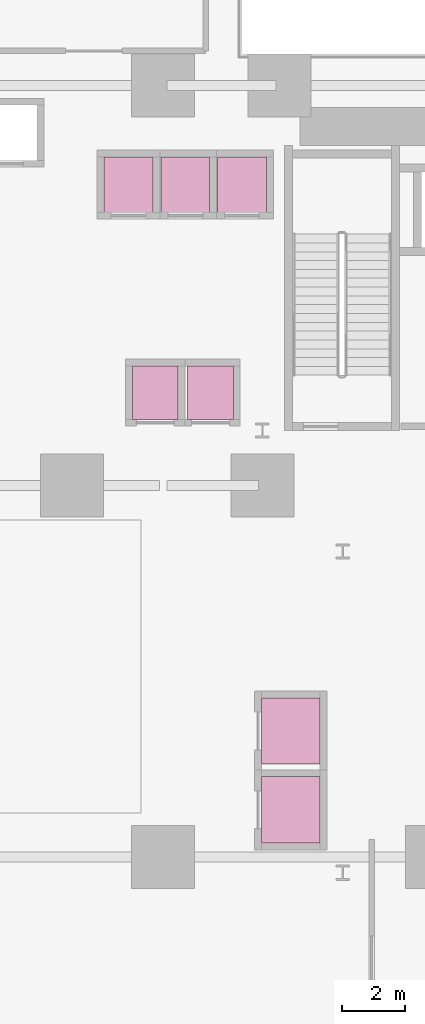
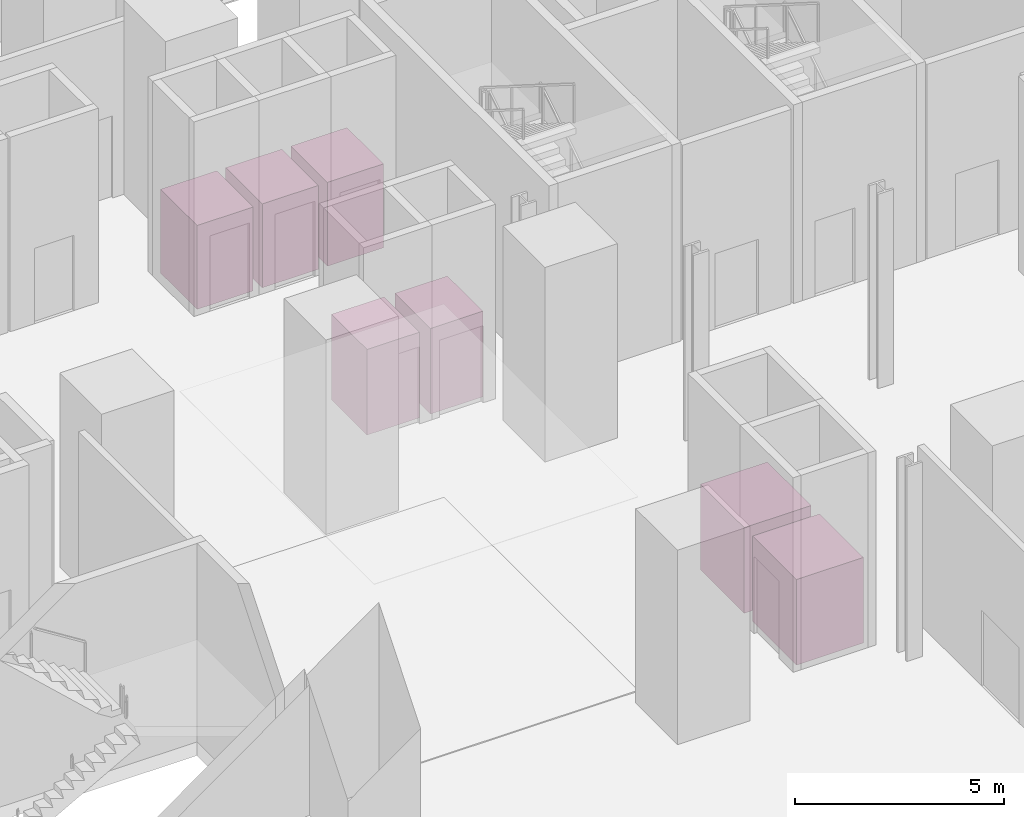
# One storey, part 25 of 25: 7 transport elements.
"""IFC4 building model written with IfcOpenShell, lengths in metres."""

from ifc_helpers import new_model, si_unit, direction, frame, origin, origin_2d, place, context, subcontext, project, spatial, rectangle, extrude, source, transform, mapped, material, type_object, element, save


model = new_model("IFC4")

# Units and contexts
model_context = context("Model", 3, precision=1e-05, world=origin(), true_north=direction((0.0, 1.0)))
body_context = subcontext(model_context, "Body", "Model", "MODEL_VIEW")
ifc_project = project(units=[si_unit("LENGTHUNIT", "METRE"), si_unit("AREAUNIT", "SQUARE_METRE"), si_unit("VOLUMEUNIT", "CUBIC_METRE"), si_unit("PLANEANGLEUNIT", "RADIAN"), si_unit("MASSUNIT", "GRAM", prefix="KILO")], contexts=[model_context])

# Site, building, storey
site_placement = place(None, origin())
site = spatial("IfcSite", under=ifc_project, at=site_placement, CompositionType="ELEMENT")
building_placement = place(site_placement, origin())
building = spatial("IfcBuilding", under=site, at=building_placement, Name="Vardaveli Station Tower", CompositionType="ELEMENT")
storey_placement = place(building_placement, origin())
storey = spatial("IfcBuildingStorey", under=building, at=storey_placement, Name="L01", CompositionType="ELEMENT", Elevation=0.0)

# Transport elements
ifc_material_1 = material(Name="Brushed stainless steel elevator cab", Category="steel")
transport_element_type_1 = type_object("IfcTransportElementType", Name="LIFT-PASS-1600", PredefinedType="ELEVATOR", material=ifc_material_1)
shared_shape_1 = source(origin(), body_context, "Body", "SweptSolid", [
    extrude(rectangle(XDim=1.550048828125, YDim=1.75, at=origin_2d()), origin(), (0.0, 0.0, 1.0), 2.449951171875),
])
for number, where, z_axis, x_axis, name in (
    (1, (24.39990234375, 38.449951171875, 0.0), (0.0, 0.0, 1.0), (1.0, 0.0, 0.0), "Lift HL1-01"),
    (2, (26.199951171875, 38.449951171875, 0.0), (0.0, 0.0, 1.0), (1.0, 0.0, 0.0), "Lift HL1-02"),
    (3, (28.0, 38.449951171875, 0.0), (0.0, 0.0, 1.0), (1.0, 0.0, 0.0), "Lift HL1-03"),
):
    element("IfcTransportElement", number, at=place(storey_placement, frame(where, z_axis=z_axis, x_axis=x_axis)), inside=storey, type_object=transport_element_type_1, Name=name, PredefinedType="ELEVATOR", context=body_context, shape_type="MappedRepresentation", body=[
        mapped(shared_shape_1, transform((0.0, 0.0, 0.0), scale=1.0)),
    ])
ifc_material_2 = material(Name="Brushed stainless steel and glass shuttle cab", Category="steel")
transport_element_type_2 = type_object("IfcTransportElementType", Name="LIFT-SHUT-1800", PredefinedType="ELEVATOR", material=ifc_material_2)
shared_shape_2 = source(origin(), body_context, "Body", "SweptSolid", [
    extrude(rectangle(XDim=1.449951171875, YDim=1.699951171875, at=origin_2d()), origin(), (0.0, 0.0, 1.0), 2.5),
])
for number, where, z_axis, x_axis, name in (
    (4, (25.25, 31.85009765625, 0.0), (0.0, 0.0, 1.0), (1.0, 0.0, 0.0), "Lift SHU-01"),
    (5, (27.0, 31.85009765625, 0.0), (0.0, 0.0, 1.0), (1.0, 0.0, 0.0), "Lift SHU-02"),
):
    element("IfcTransportElement", number, at=place(storey_placement, frame(where, z_axis=z_axis, x_axis=x_axis)), inside=storey, type_object=transport_element_type_2, Name=name, PredefinedType="ELEVATOR", context=body_context, shape_type="MappedRepresentation", body=[
        mapped(shared_shape_2, transform((0.0, 0.0, 0.0), scale=1.0)),
    ])
shared_shape_3 = source(origin(), body_context, "Body", "SweptSolid", [
    extrude(rectangle(XDim=1.85009765625, YDim=2.10009765625, at=origin_2d()), origin(), (0.0, 0.0, 1.0), 2.5),
])
for number, where, z_axis, x_axis, name in (
    (6, (29.550048828125, 18.60009765625, 0.0), (0.0, 0.0, 1.0), (1.0, 0.0, 0.0), "Lift OBS-01"),
    (7, (29.550048828125, 21.10009765625, 0.0), (0.0, 0.0, 1.0), (1.0, 0.0, 0.0), "Lift OBS-02"),
):
    element("IfcTransportElement", number, at=place(storey_placement, frame(where, z_axis=z_axis, x_axis=x_axis)), inside=storey, type_object=transport_element_type_2, Name=name, PredefinedType="ELEVATOR", context=body_context, shape_type="MappedRepresentation", body=[
        mapped(shared_shape_3, transform((0.0, 0.0, 0.0), scale=1.0)),
    ])

save(model, "model.ifc")
